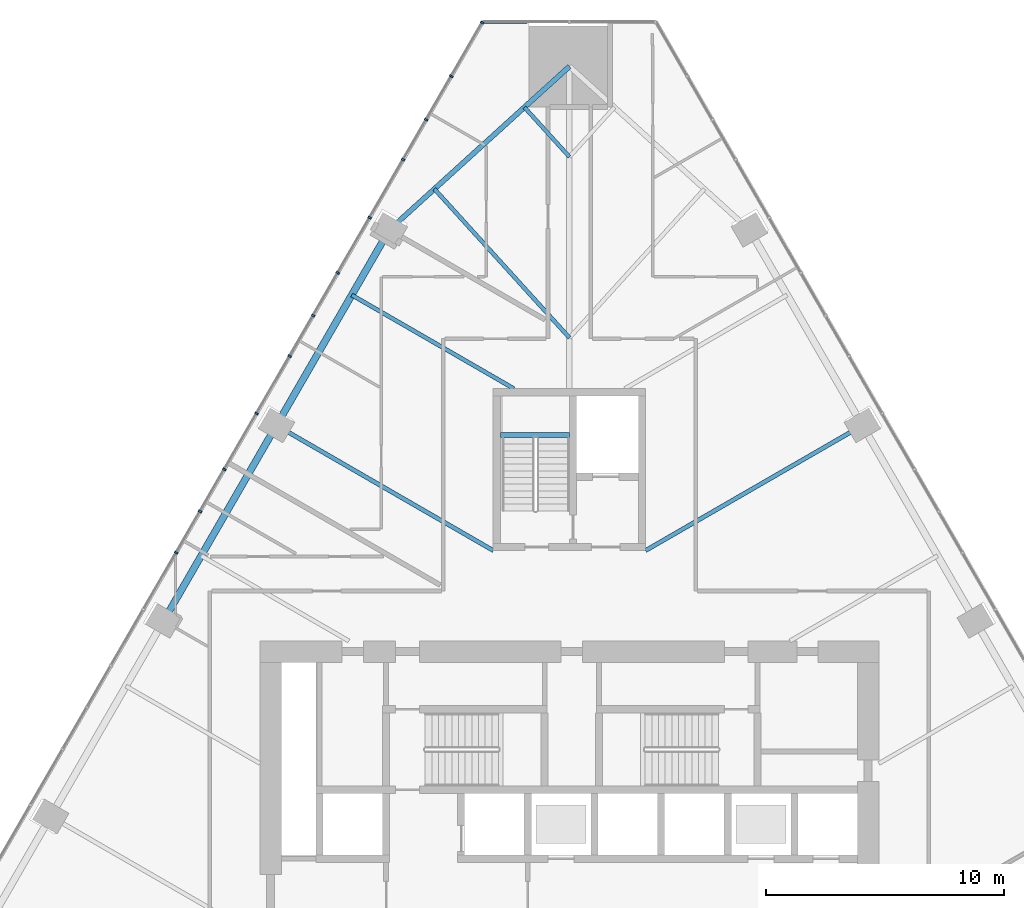
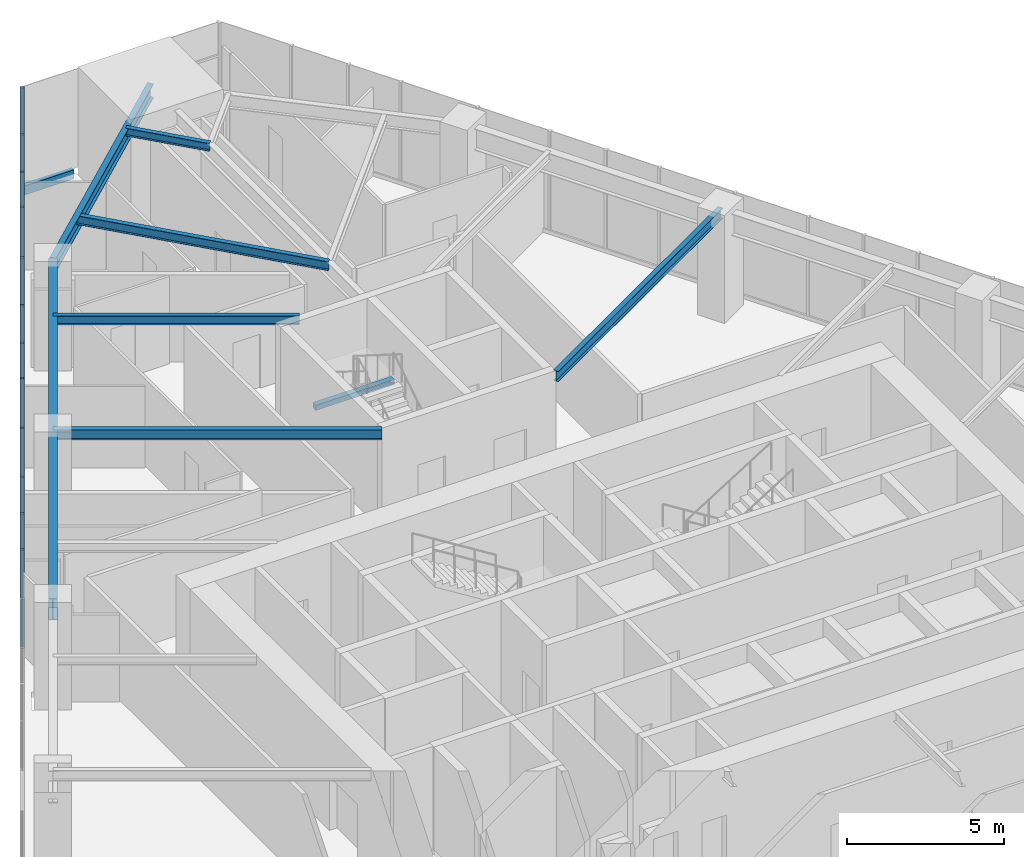
# One storey, part 10 of 21: 13 members, 8 beams, 2 elements without a shape of their own.
"""IFC4 building model written with IfcOpenShell, lengths in metres."""

from ifc_helpers import new_model, si_unit, direction, frame, origin, origin_2d, place, context, subcontext, project, spatial, rectangle, i_section, extrude, material, layer, layer_set, material_profile, profile_set, type_object, element, aggregate, save


model = new_model("IFC4")

# Units and contexts
model_context = context("Model", 3, precision=1e-05, world=origin(), true_north=direction((0.0, 1.0)))
body_context = subcontext(model_context, "Body", "Model", "MODEL_VIEW")
ifc_project = project(units=[si_unit("LENGTHUNIT", "METRE"), si_unit("AREAUNIT", "SQUARE_METRE"), si_unit("VOLUMEUNIT", "CUBIC_METRE"), si_unit("PLANEANGLEUNIT", "RADIAN"), si_unit("MASSUNIT", "GRAM", prefix="KILO")], contexts=[model_context])

# Site, building, storey
site_placement = place(None, origin())
site = spatial("IfcSite", under=ifc_project, at=site_placement, CompositionType="ELEMENT")
building_placement = place(site_placement, origin())
building = spatial("IfcBuilding", under=site, at=building_placement, Name="Firuza Gate Tower and Library", CompositionType="ELEMENT")
storey_placement = place(building_placement, frame((0.0, 0.0, 69.39990234375)))
storey = spatial("IfcBuildingStorey", under=building, at=storey_placement, Name="L15", CompositionType="ELEMENT", Elevation=69.39990234375)

# Curtain wall, members
ifc_material_1 = material(Name="Aluminium 6063-T6", Category="aluminium")
ifc_layer_1 = layer(ifc_material_1, 0.14990234375)
ifc_layer_set_1 = layer_set([ifc_layer_1], Name="Unitised curtain wall, offices")
curtain_wall_type_1 = type_object("IfcCurtainWallType", Name="Unitised curtain wall, offices", PredefinedType="NOTDEFINED", material=ifc_layer_set_1)
placement = place(storey_placement, origin())
curtain_wall_1 = element("IfcCurtainWall", 1, at=placement, inside=storey, type_object=curtain_wall_type_1, Name="CW1 L15 W face", PredefinedType="NOTDEFINED")
ifc_material_2 = material(Name="Aluminium 6063-T6", Category="aluminium")
ifc_material_profile_1 = material_profile(ifc_material_2, rectangle(XDim=0.14990234375, YDim=0.080078125, at=origin_2d()))
ifc_profile_set_1 = profile_set([ifc_material_profile_1], Name="Aluminium 6063-T6")
member_type_1 = type_object("IfcMemberType", Name="Curtain wall mullion 80x150", PredefinedType="MULLION", material=ifc_profile_set_1)
member_1_placement = place(storey_placement, frame((71.336669921875, 109.976806640625, 0.150146484375), z_axis=(0.0, 0.0, 1.0), x_axis=(0.866025403784, -0.5, 0.0)))
member_1 = element("IfcMember", 2, at=member_1_placement, type_object=member_type_1, Name="Mullion", PredefinedType="MULLION", context=body_context, shape_type="SweptSolid", body=[
    extrude(rectangle(XDim=0.14990234375, YDim=0.080078125, at=origin_2d()), origin(), (0.0, 0.0, 1.0), 3.849853515625),
])
member_2_placement = place(storey_placement, frame((68.981689453125, 105.89794921875, 0.150146484375), z_axis=(0.0, 0.0, 1.0), x_axis=(0.866025403784, -0.5, 0.0)))
member_2 = element("IfcMember", 3, at=member_2_placement, type_object=member_type_1, Name="Mullion", PredefinedType="MULLION", context=body_context, shape_type="SweptSolid", body=[
    extrude(rectangle(XDim=0.14990234375, YDim=0.080078125, at=origin_2d()), origin(), (0.0, 0.0, 1.0), 3.849853515625),
])
member_3_placement = place(storey_placement, frame((66.60693359375, 101.784423828125, 0.150146484375), z_axis=(0.0, 0.0, 1.0), x_axis=(0.866025403784, -0.5, 0.0)))
member_3 = element("IfcMember", 4, at=member_3_placement, type_object=member_type_1, Name="Mullion", PredefinedType="MULLION", context=body_context, shape_type="SweptSolid", body=[
    extrude(rectangle(XDim=0.14990234375, YDim=0.080078125, at=origin_2d()), origin(), (0.0, 0.0, 1.0), 3.849853515625),
])
member_4_placement = place(storey_placement, frame((64.23193359375, 97.6708984375, 0.150146484375), z_axis=(0.0, 0.0, 1.0), x_axis=(0.866025403784, -0.5, 0.0)))
member_4 = element("IfcMember", 5, at=member_4_placement, type_object=member_type_1, Name="Mullion", PredefinedType="MULLION", context=body_context, shape_type="SweptSolid", body=[
    extrude(rectangle(XDim=0.14990234375, YDim=0.080078125, at=origin_2d()), origin(), (0.0, 0.0, 1.0), 3.849853515625),
])
member_5_placement = place(storey_placement, frame((61.85693359375, 93.557373046875, 0.150146484375), z_axis=(0.0, 0.0, 1.0), x_axis=(0.866025403784, -0.5, 0.0)))
member_5 = element("IfcMember", 6, at=member_5_placement, type_object=member_type_1, Name="Mullion", PredefinedType="MULLION", context=body_context, shape_type="SweptSolid", body=[
    extrude(rectangle(XDim=0.14990234375, YDim=0.080078125, at=origin_2d()), origin(), (0.0, 0.0, 1.0), 3.849853515625),
])
member_6_placement = place(storey_placement, frame((59.48193359375, 89.444091796875, 0.150146484375), z_axis=(0.0, 0.0, 1.0), x_axis=(0.866025403784, -0.5, 0.0)))
member_6 = element("IfcMember", 7, at=member_6_placement, type_object=member_type_1, Name="Mullion", PredefinedType="MULLION", context=body_context, shape_type="SweptSolid", body=[
    extrude(rectangle(XDim=0.14990234375, YDim=0.080078125, at=origin_2d()), origin(), (0.0, 0.0, 1.0), 3.849853515625),
])
member_7_placement = place(storey_placement, frame((70.035888671875, 107.7236328125, 0.150146484375), z_axis=(0.0, 0.0, 1.0), x_axis=(0.866025403784, -0.5, 0.0)))
member_7 = element("IfcMember", 8, at=member_7_placement, type_object=member_type_1, Name="Mullion", PredefinedType="MULLION", context=body_context, shape_type="SweptSolid", body=[
    extrude(rectangle(XDim=0.14990234375, YDim=0.080078125, at=origin_2d()), origin(), (0.0, 0.0, 1.0), 3.849853515625),
])
member_8_placement = place(storey_placement, frame((68.014404296875, 104.22265625, 0.150146484375), z_axis=(0.0, 0.0, 1.0), x_axis=(0.866025403784, -0.5, 0.0)))
member_8 = element("IfcMember", 9, at=member_8_placement, type_object=member_type_1, Name="Mullion", PredefinedType="MULLION", context=body_context, shape_type="SweptSolid", body=[
    extrude(rectangle(XDim=0.14990234375, YDim=0.080078125, at=origin_2d()), origin(), (0.0, 0.0, 1.0), 3.849853515625),
])
member_9_placement = place(storey_placement, frame((65.2685546875, 99.466552734375, 0.150146484375), z_axis=(0.0, 0.0, 1.0), x_axis=(0.866025403784, -0.5, 0.0)))
member_9 = element("IfcMember", 10, at=member_9_placement, type_object=member_type_1, Name="Mullion", PredefinedType="MULLION", context=body_context, shape_type="SweptSolid", body=[
    extrude(rectangle(XDim=0.14990234375, YDim=0.080078125, at=origin_2d()), origin(), (0.0, 0.0, 1.0), 3.849853515625),
])
member_10_placement = place(storey_placement, frame((63.247314453125, 95.965576171875, 0.150146484375), z_axis=(0.0, 0.0, 1.0), x_axis=(0.866025403784, -0.5, 0.0)))
member_10 = element("IfcMember", 11, at=member_10_placement, type_object=member_type_1, Name="Mullion", PredefinedType="MULLION", context=body_context, shape_type="SweptSolid", body=[
    extrude(rectangle(XDim=0.14990234375, YDim=0.080078125, at=origin_2d()), origin(), (0.0, 0.0, 1.0), 3.849853515625),
])
member_11_placement = place(storey_placement, frame((60.50146484375, 91.20947265625, 0.150146484375), z_axis=(0.0, 0.0, 1.0), x_axis=(0.866025403784, -0.5, 0.0)))
member_11 = element("IfcMember", 12, at=member_11_placement, type_object=member_type_1, Name="Mullion", PredefinedType="MULLION", context=body_context, shape_type="SweptSolid", body=[
    extrude(rectangle(XDim=0.14990234375, YDim=0.080078125, at=origin_2d()), origin(), (0.0, 0.0, 1.0), 3.849853515625),
])
member_12_placement = place(storey_placement, frame((58.47998046875, 87.70849609375, 0.150146484375), z_axis=(0.0, 0.0, 1.0), x_axis=(0.866025403784, -0.5, 0.0)))
member_12 = element("IfcMember", 13, at=member_12_placement, type_object=member_type_1, Name="Mullion", PredefinedType="MULLION", context=body_context, shape_type="SweptSolid", body=[
    extrude(rectangle(XDim=0.14990234375, YDim=0.080078125, at=origin_2d()), origin(), (0.0, 0.0, 1.0), 3.849853515625),
])
aggregate(curtain_wall_1, [member_1, member_2, member_3, member_4, member_5, member_6, member_7, member_8, member_9, member_10, member_11, member_12])

# Curtain wall, member
ifc_material_3 = material(Name="Aluminium 6063-T6", Category="aluminium")
ifc_layer_2 = layer(ifc_material_3, 0.14990234375)
ifc_layer_set_2 = layer_set([ifc_layer_2], Name="Corner curtain wall, chamfers")
curtain_wall_type_2 = type_object("IfcCurtainWallType", Name="Corner curtain wall, chamfers", PredefinedType="NOTDEFINED", material=ifc_layer_set_2)
curtain_wall_2 = element("IfcCurtainWall", 14, at=placement, inside=storey, type_object=curtain_wall_type_2, Name="CW4 L15 N corner", PredefinedType="NOTDEFINED")
ifc_material_4 = material(Name="Aluminium 6063-T6", Category="aluminium")
ifc_material_profile_2 = material_profile(ifc_material_4, rectangle(XDim=0.14990234375, YDim=0.35009765625, at=origin_2d()))
ifc_profile_set_2 = profile_set([ifc_material_profile_2], Name="Aluminium 6063-T6")
member_type_2 = type_object("IfcMemberType", Name="Curtain wall transom 350x150", PredefinedType="USERDEFINED", material=ifc_profile_set_2)
member_13_placement = place(storey_placement, frame((73.22021484375, 110.011474609375, -0.02490234375), z_axis=(-1.0, 0.0, 0.0), x_axis=(0.0, -1.0, 0.0)))
member_13 = element("IfcMember", 15, at=member_13_placement, type_object=member_type_2, Name="Transom", ObjectType="TRANSOM", PredefinedType="USERDEFINED", context=body_context, shape_type="SweptSolid", body=[
    extrude(rectangle(XDim=0.14990234375, YDim=0.35009765625, at=origin_2d()), origin(), (0.0, 0.0, 1.0), 1.863525390625),
])
aggregate(curtain_wall_2, [member_13])

# Beams
ifc_material_5 = material(Name="Concrete C35/45", Category="concrete")
ifc_material_profile_3 = material_profile(ifc_material_5, rectangle(XDim=0.199951171875, YDim=0.199951171875, at=origin_2d()))
ifc_profile_set_3 = profile_set([ifc_material_profile_3], Name="Concrete C35/45")
beam_type_1 = type_object("IfcBeamType", Name="Stair landing bearer 200x200", PredefinedType="BEAM", material=ifc_profile_set_3)
beam_1_placement = place(storey_placement, frame((75.0, 92.64990234375, 1.800048828125), z_axis=(-1.0, 0.0, 0.0), x_axis=(0.0, -1.0, 0.0)))
element("IfcBeam", 16, at=beam_1_placement, inside=storey, type_object=beam_type_1, Name="Landing bearer L15 stair 3", PredefinedType="BEAM", context=body_context, shape_type="SweptSolid", body=[
    extrude(rectangle(XDim=0.199951171875, YDim=0.199951171875, at=origin_2d()), origin(), (0.0, 0.0, 1.0), 2.89990234375),
])
ifc_material_6 = material(Name="Steel S355", Category="steel")
ifc_material_profile_4 = material_profile(ifc_material_6, i_section(OverallWidth=0.1650390625, OverallDepth=0.31005859375, WebThickness=0.005859375, FlangeThickness=0.009765625, at=origin_2d()))
ifc_profile_set_4 = profile_set([ifc_material_profile_4], Name="Steel S355")
beam_type_2 = type_object("IfcBeamType", Name="W310x39 Floor beam", PredefinedType="JOIST", material=ifc_profile_set_4)
beam_2_placement = place(storey_placement, frame((73.109130859375, 106.42041015625, 3.84521484375), z_axis=(0.672089489403, -0.740469930675, 0.0), x_axis=(0.740469930675, 0.672089489403, 0.0)))
element("IfcBeam", 17, at=beam_2_placement, inside=storey, type_object=beam_type_2, Name="Floor beam L15 s70", PredefinedType="JOIST", context=body_context, shape_type="SweptSolid", body=[
    extrude(i_section(OverallWidth=0.1650390625, OverallDepth=0.31005859375, WebThickness=0.005859375, FlangeThickness=0.009765625, at=origin_2d()), origin(), (0.0, 0.0, 1.0), 2.8134765625),
])
ifc_material_7 = material(Name="Steel S355", Category="steel")
ifc_material_profile_5 = material_profile(ifc_material_7, i_section(OverallWidth=0.1708984375, OverallDepth=0.35498046875, WebThickness=0.007080078125, FlangeThickness=0.01171875, at=origin_2d()))
ifc_profile_set_5 = profile_set([ifc_material_profile_5], Name="Steel S355")
beam_type_3 = type_object("IfcBeamType", Name="W360x51 Floor beam", PredefinedType="JOIST", material=ifc_profile_set_5)
beam_3_placement = place(storey_placement, frame((69.32763671875, 102.988037109375, 3.822509765625), z_axis=(0.672073629083, -0.740484326027, 0.0), x_axis=(0.740484326027, 0.672073629083, 0.0)))
element("IfcBeam", 18, at=beam_3_placement, inside=storey, type_object=beam_type_3, Name="Floor beam L15 s71", PredefinedType="JOIST", context=body_context, shape_type="SweptSolid", body=[
    extrude(i_section(OverallWidth=0.1708984375, OverallDepth=0.35498046875, WebThickness=0.007080078125, FlangeThickness=0.01171875, at=origin_2d()), origin(), (0.0, 0.0, 1.0), 8.440185546875),
])
beam_4_placement = place(storey_placement, frame((65.85595703125, 98.533935546875, 3.822509765625), z_axis=(0.866021255939, -0.50000718421, 0.0), x_axis=(0.50000718421, 0.866021255939, 0.0)))
element("IfcBeam", 19, at=beam_4_placement, inside=storey, type_object=beam_type_3, Name="Floor beam L15 s80", PredefinedType="JOIST", context=body_context, shape_type="SweptSolid", body=[
    extrude(i_section(OverallWidth=0.1708984375, OverallDepth=0.35498046875, WebThickness=0.007080078125, FlangeThickness=0.01171875, at=origin_2d()), origin(), (0.0, 0.0, 1.0), 7.86767578125),
])
ifc_material_8 = material(Name="Steel S355", Category="steel")
ifc_material_profile_6 = material_profile(ifc_material_8, i_section(OverallWidth=0.177978515625, OverallDepth=0.406982421875, WebThickness=0.0078125, FlangeThickness=0.0126953125, at=origin_2d()))
ifc_profile_set_6 = profile_set([ifc_material_profile_6], Name="Steel S355")
beam_type_4 = type_object("IfcBeamType", Name="W410x60 Floor beam", PredefinedType="JOIST", material=ifc_profile_set_6)
for number, where, z_axis, x_axis, name in (
    (20, (87.305908203125, 93.057373046875, 3.796630859375), (-0.866035561846, -0.499982405309, 0.0), (0.499982405309, -0.866035561846, 0.0), "Floor beam L15 s54"),
    (21, (62.694091796875, 93.057373046875, 3.796630859375), (0.866035561846, -0.499982405309, 0.0), (0.499982405309, 0.866035561846, 0.0), "Floor beam L15 s81"),
):
    element("IfcBeam", number, at=place(storey_placement, frame(where, z_axis=z_axis, x_axis=x_axis)), inside=storey, type_object=beam_type_4, Name=name, PredefinedType="JOIST", context=body_context, shape_type="SweptSolid", body=[
        extrude(i_section(OverallWidth=0.177978515625, OverallDepth=0.406982421875, WebThickness=0.0078125, FlangeThickness=0.0126953125, at=origin_2d()), origin(), (0.0, 0.0, 1.0), 10.5146484375),
    ])
ifc_material_9 = material(Name="Steel S355", Category="steel")
ifc_material_profile_7 = material_profile(ifc_material_9, i_section(OverallWidth=0.212890625, OverallDepth=0.5390625, WebThickness=0.01171875, FlangeThickness=0.018798828125, at=origin_2d()))
ifc_profile_set_7 = profile_set([ifc_material_profile_7], Name="Steel S355")
beam_type_5 = type_object("IfcBeamType", Name="W530x109 Edge beam", PredefinedType="SPANDREL", material=ifc_profile_set_7)
beam_5_placement = place(storey_placement, frame((75.0, 108.136474609375, 3.730712890625), z_axis=(-0.740483862736, -0.672074139532, 0.0), x_axis=(0.672074139532, -0.740483862736, 0.0)))
element("IfcBeam", 22, at=beam_5_placement, inside=storey, type_object=beam_type_5, Name="Edge beam L15 e70", PredefinedType="SPANDREL", context=body_context, shape_type="SweptSolid", body=[
    extrude(i_section(OverallWidth=0.212890625, OverallDepth=0.5390625, WebThickness=0.01171875, FlangeThickness=0.018798828125, at=origin_2d()), origin(), (0.0, 0.0, 1.0), 10.2138671875),
])
ifc_material_10 = material(Name="Steel S355", Category="steel")
ifc_material_profile_8 = material_profile(ifc_material_10, i_section(OverallWidth=0.2919921875, OverallDepth=0.8349609375, WebThickness=0.013916015625, FlangeThickness=0.018798828125, at=origin_2d()))
ifc_profile_set_8 = profile_set([ifc_material_profile_8], Name="Steel S355")
beam_type_6 = type_object("IfcBeamType", Name="W840x176 Edge beam", PredefinedType="SPANDREL", material=ifc_profile_set_8)
beam_6_placement = place(storey_placement, frame((67.436767578125, 101.27197265625, 3.58251953125), z_axis=(-0.500003555199, -0.866023351179, 0.0), x_axis=(0.866023351179, -0.500003555199, 0.0)))
element("IfcBeam", 23, at=beam_6_placement, inside=storey, type_object=beam_type_6, Name="Edge beam L15 e80", PredefinedType="SPANDREL", context=body_context, shape_type="SweptSolid", body=[
    extrude(i_section(OverallWidth=0.2919921875, OverallDepth=0.8349609375, WebThickness=0.013916015625, FlangeThickness=0.018798828125, at=origin_2d()), origin(), (0.0, 0.0, 1.0), 18.970458984375),
])

save(model, "model.ifc")
